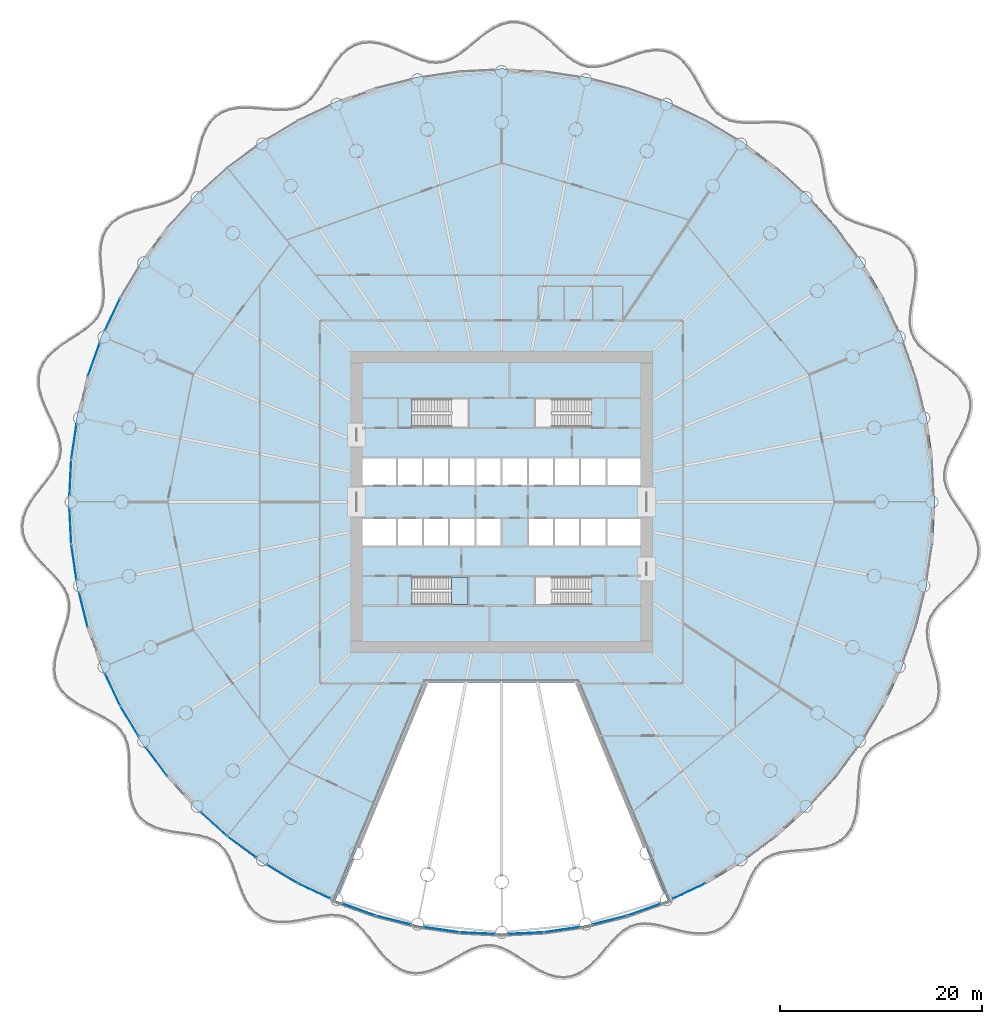
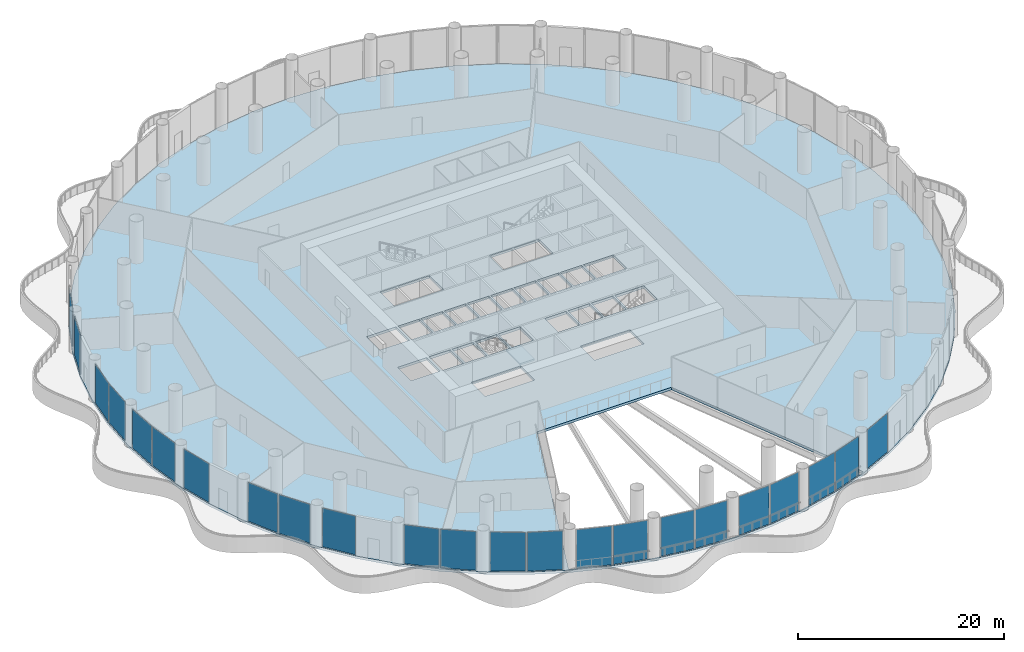
# One storey, part 20 of 36: 23 plates, 2 slabs, 24 elements without a shape of their own.
"""IFC4 building model written with IfcOpenShell, lengths in metres."""

from ifc_helpers import new_model, si_unit, direction, frame, origin, origin_2d, place, context, subcontext, project, spatial, polyline, rectangle, outline, extrude, material, layer, layer_set, type_object, element, aggregate, save


model = new_model("IFC4")

# Units and contexts
model_context = context("Model", 3, precision=1e-05, world=origin(), true_north=direction((0.0, 1.0)))
body_context = subcontext(model_context, "Body", "Model", "MODEL_VIEW")
ifc_project = project(units=[si_unit("LENGTHUNIT", "METRE"), si_unit("AREAUNIT", "SQUARE_METRE"), si_unit("VOLUMEUNIT", "CUBIC_METRE"), si_unit("PLANEANGLEUNIT", "RADIAN"), si_unit("MASSUNIT", "GRAM", prefix="KILO")], contexts=[model_context])

# Site, building, storey
site_placement = place(None, origin())
site = spatial("IfcSite", under=ifc_project, at=site_placement, CompositionType="ELEMENT")
building_placement = place(site_placement, origin())
building = spatial("IfcBuilding", under=site, at=building_placement, Name="Corvane Civic Tower", CompositionType="ELEMENT")
storey_placement = place(building_placement, frame((0.0, 0.0, 17.0)))
storey = spatial("IfcBuildingStorey", under=building, at=storey_placement, Name="L03", CompositionType="ELEMENT", Elevation=17.0)

# Slab
ifc_material_1 = material(Name="Concrete C40/50", Category="concrete")
ifc_layer_1 = layer(ifc_material_1, 0.300048828125)
ifc_layer_set_1 = layer_set([ifc_layer_1], Name="Concrete C40/50")
slab_type_1 = type_object("IfcSlabType", Name="FLOOR SLAB 300", PredefinedType="FLOOR", material=ifc_layer_set_1)
slab_1_placement = place(storey_placement, frame((0.0, 0.0, -0.300048828125)))
element("IfcSlab", 1, at=slab_1_placement, inside=storey, type_object=slab_type_1, Name="SLB-L03", PredefinedType="FLOOR", context=body_context, shape_type="SweptSolid", body=[
    extrude(outline(polyline([(0.0, 43.0), (-4.21484375, 42.79296875), (-8.388916015625, 42.173828125), (-12.482177734375, 41.1484375), (-16.455322265625, 39.726806640625), (-20.27001953125, 37.922607421875), (-23.889404296875, 35.753173828125), (-27.27880859375, 33.239501953125), (-30.405517578125, 30.405517578125), (-33.239501953125, 27.27880859375), (-35.753173828125, 23.889404296875), (-37.922607421875, 20.27001953125), (-39.726806640625, 16.455322265625), (-41.1484375, 12.482177734375), (-42.173828125, 8.388916015625), (-42.79296875, 4.21484375), (-43.0, 0.0), (-42.79296875, -4.21484375), (-42.173828125, -8.388916015625), (-41.1484375, -12.482177734375), (-39.726806640625, -16.455322265625), (-37.922607421875, -20.27001953125), (-35.753173828125, -23.889404296875), (-33.239501953125, -27.27880859375), (-30.405517578125, -30.405517578125), (-27.27880859375, -33.239501953125), (-23.889404296875, -35.753173828125), (-20.27001953125, -37.922607421875), (-16.455322265625, -39.726806640625), (-12.482177734375, -41.1484375), (-8.388916015625, -42.173828125), (-4.21484375, -42.79296875), (0.0, -43.0), (4.21484375, -42.79296875), (8.388916015625, -42.173828125), (12.482177734375, -41.1484375), (16.455322265625, -39.726806640625), (20.27001953125, -37.922607421875), (23.889404296875, -35.753173828125), (27.27880859375, -33.239501953125), (30.405517578125, -30.405517578125), (33.239501953125, -27.27880859375), (35.753173828125, -23.889404296875), (37.922607421875, -20.27001953125), (39.726806640625, -16.455322265625), (41.1484375, -12.482177734375), (42.173828125, -8.388916015625), (42.79296875, -4.21484375), (43.0, 0.0), (42.79296875, 4.21484375), (42.173828125, 8.388916015625), (41.1484375, 12.482177734375), (39.726806640625, 16.455322265625), (37.922607421875, 20.27001953125), (35.753173828125, 23.889404296875), (33.239501953125, 27.27880859375), (30.405517578125, 30.405517578125), (27.27880859375, 33.239501953125), (23.889404296875, 35.753173828125), (20.27001953125, 37.922607421875), (16.455322265625, 39.726806640625), (12.482177734375, 41.1484375), (8.388916015625, 42.173828125), (4.21484375, 42.79296875), (0.0, 43.0)]), holes=[polyline([(-13.800048828125, 4.300048828125), (-10.5, 4.300048828125), (-10.5, 1.699951171875), (-13.800048828125, 1.699951171875), (-13.800048828125, 4.300048828125)]), polyline([(-7.89990234375, 1.699951171875), (-10.300048828125, 1.699951171875), (-10.300048828125, 4.300048828125), (-7.89990234375, 4.300048828125), (-7.89990234375, 1.699951171875)]), polyline([(-7.699951171875, 4.300048828125), (-5.300048828125, 4.300048828125), (-5.300048828125, 1.699951171875), (-7.699951171875, 1.699951171875), (-7.699951171875, 4.300048828125)]), polyline([(-5.10009765625, 4.300048828125), (-2.699951171875, 4.300048828125), (-2.699951171875, 1.699951171875), (-5.10009765625, 1.699951171875), (-5.10009765625, 4.300048828125)]), polyline([(-2.5, 4.300048828125), (-0.10009765625, 4.300048828125), (-0.10009765625, 1.699951171875), (-2.5, 1.699951171875), (-2.5, 4.300048828125)]), polyline([(2.5, 1.699951171875), (0.10009765625, 1.699951171875), (0.10009765625, 4.300048828125), (2.5, 4.300048828125), (2.5, 1.699951171875)]), polyline([(5.10009765625, 1.699951171875), (2.699951171875, 1.699951171875), (2.699951171875, 4.300048828125), (5.10009765625, 4.300048828125), (5.10009765625, 1.699951171875)]), polyline([(5.300048828125, 4.300048828125), (7.699951171875, 4.300048828125), (7.699951171875, 1.699951171875), (5.300048828125, 1.699951171875), (5.300048828125, 4.300048828125)]), polyline([(7.89990234375, 4.300048828125), (10.300048828125, 4.300048828125), (10.300048828125, 1.699951171875), (7.89990234375, 1.699951171875), (7.89990234375, 4.300048828125)]), polyline([(13.800048828125, 1.699951171875), (10.5, 1.699951171875), (10.5, 4.300048828125), (13.800048828125, 4.300048828125), (13.800048828125, 1.699951171875)]), polyline([(-13.800048828125, -1.699951171875), (-10.5, -1.699951171875), (-10.5, -4.300048828125), (-13.800048828125, -4.300048828125), (-13.800048828125, -1.699951171875)]), polyline([(-10.300048828125, -1.699951171875), (-7.89990234375, -1.699951171875), (-7.89990234375, -4.300048828125), (-10.300048828125, -4.300048828125), (-10.300048828125, -1.699951171875)]), polyline([(-7.699951171875, -1.699951171875), (-5.300048828125, -1.699951171875), (-5.300048828125, -4.300048828125), (-7.699951171875, -4.300048828125), (-7.699951171875, -1.699951171875)]), polyline([(-5.10009765625, -1.699951171875), (-2.699951171875, -1.699951171875), (-2.699951171875, -4.300048828125), (-5.10009765625, -4.300048828125), (-5.10009765625, -1.699951171875)]), polyline([(-2.5, -1.699951171875), (-0.10009765625, -1.699951171875), (-0.10009765625, -4.300048828125), (-2.5, -4.300048828125), (-2.5, -1.699951171875)]), polyline([(2.699951171875, -1.699951171875), (5.10009765625, -1.699951171875), (5.10009765625, -4.300048828125), (2.699951171875, -4.300048828125), (2.699951171875, -1.699951171875)]), polyline([(5.300048828125, -4.300048828125), (5.300048828125, -1.699951171875), (7.699951171875, -1.699951171875), (7.699951171875, -4.300048828125), (5.300048828125, -4.300048828125)]), polyline([(7.89990234375, -4.300048828125), (7.89990234375, -1.699951171875), (10.300048828125, -1.699951171875), (10.300048828125, -4.300048828125), (7.89990234375, -4.300048828125)]), polyline([(13.800048828125, -4.300048828125), (10.5, -4.300048828125), (10.5, -1.699951171875), (13.800048828125, -1.699951171875), (13.800048828125, -4.300048828125)]), polyline([(8.889892578125, 10.199951171875), (8.889892578125, 7.449951171875), (3.35009765625, 7.449951171875), (3.35009765625, 10.199951171875), (8.889892578125, 10.199951171875)]), polyline([(-8.889892578125, 7.449951171875), (-8.889892578125, 10.199951171875), (-3.35009765625, 10.199951171875), (-3.35009765625, 7.449951171875), (-8.889892578125, 7.449951171875)]), polyline([(8.889892578125, -7.449951171875), (8.889892578125, -10.199951171875), (3.35009765625, -10.199951171875), (3.35009765625, -7.449951171875), (8.889892578125, -7.449951171875)]), polyline([(-8.889892578125, -10.199951171875), (-8.889892578125, -7.449951171875), (-3.35009765625, -7.449951171875), (-3.35009765625, -10.199951171875), (-8.889892578125, -10.199951171875)]), polyline([(16.488525390625, -39.54541015625), (16.39794921875, -39.58837890625), (12.438720703125, -41.0048828125), (8.359619140625, -42.026611328125), (4.199951171875, -42.643798828125), (0.0, -42.85009765625), (-4.199951171875, -42.643798828125), (-8.359619140625, -42.026611328125), (-12.438720703125, -41.0048828125), (-16.39794921875, -39.58837890625), (-16.488525390625, -39.54541015625), (-7.522705078125, -17.89990234375), (7.522705078125, -17.89990234375), (16.488525390625, -39.54541015625)])]), origin(), (0.0, 0.0, 1.0), 0.300048828125),
])

# Curtain wall, plate
ifc_material_2 = material(Name="Aluminium and glass", Category="aluminium")
curtain_wall_type = type_object("IfcCurtainWallType", Name="PODIUM-CW-P-RUN", PredefinedType="NOTDEFINED", material=ifc_material_2)
curtain_wall_1_placement = place(storey_placement, origin())
curtain_wall_1 = element("IfcCurtainWall", 2, at=curtain_wall_1_placement, inside=storey, type_object=curtain_wall_type, Name="PODI run L03-drum-14B", PredefinedType="NOTDEFINED")
ifc_material_3 = material(Name="Glass tinted low-e laminated", Category="glass")
ifc_layer_2 = layer(ifc_material_3, 0.031982421875)
ifc_layer_set_2 = layer_set([ifc_layer_2], Name="Glass tinted low-e laminated")
plate_type = type_object("IfcPlateType", Name="PODIUM-CWP-PANEL-IGU32", PredefinedType="CURTAIN_PANEL", material=ifc_layer_set_2)
plate_1_placement = place(storey_placement, frame((18.595458984375, -38.614990234375, 0.06005859375), z_axis=(0.0, 0.0, 1.0), x_axis=(-0.903990222454, -0.42755312852, 0.0)))
plate_1 = element("IfcPlate", 3, at=plate_1_placement, type_object=plate_type, Name="CW-P panel 1.1", PredefinedType="CURTAIN_PANEL", context=body_context, shape_type="SweptSolid", body=[
    extrude(rectangle(XDim=3.4599609375, YDim=0.031982421875, at=origin_2d()), origin(), (0.0, 0.0, 1.0), 4.580078125),
])
aggregate(curtain_wall_1, [plate_1])

curtain_wall_2_placement = place(storey_placement, origin())
curtain_wall_2 = element("IfcCurtainWall", 4, at=curtain_wall_2_placement, inside=storey, type_object=curtain_wall_type, Name="PODI run L03-drum-15A", PredefinedType="NOTDEFINED")
plate_2_placement = place(storey_placement, frame((14.156005859375, -40.453857421875, 0.06005859375), z_axis=(0.0, 0.0, 1.0), x_axis=(-0.941533802561, -0.336918534123, 0.0)))
plate_2 = element("IfcPlate", 5, at=plate_2_placement, type_object=plate_type, Name="CW-P panel 1.1", PredefinedType="CURTAIN_PANEL", context=body_context, shape_type="SweptSolid", body=[
    extrude(rectangle(XDim=3.459716796875, YDim=0.031982421875, at=origin_2d()), origin(), (0.0, 0.0, 1.0), 4.580078125),
])
aggregate(curtain_wall_2, [plate_2])

curtain_wall_3_placement = place(storey_placement, origin())
curtain_wall_3 = element("IfcCurtainWall", 6, at=curtain_wall_3_placement, inside=storey, type_object=curtain_wall_type, Name="PODI run L03-drum-15B", PredefinedType="NOTDEFINED")
plate_3_placement = place(storey_placement, frame((10.70458984375, -41.5009765625, 0.06005859375), z_axis=(0.0, 0.0, 1.0), x_axis=(-0.970024070659, -0.243008852393, 0.0)))
plate_3 = element("IfcPlate", 7, at=plate_3_placement, type_object=plate_type, Name="CW-P panel 1.1", PredefinedType="CURTAIN_PANEL", context=body_context, shape_type="SweptSolid", body=[
    extrude(rectangle(XDim=3.459716796875, YDim=0.031982421875, at=origin_2d()), origin(), (0.0, 0.0, 1.0), 4.580078125),
])
aggregate(curtain_wall_3, [plate_3])

curtain_wall_4_placement = place(storey_placement, origin())
curtain_wall_4 = element("IfcCurtainWall", 8, at=curtain_wall_4_placement, inside=storey, type_object=curtain_wall_type, Name="PODI run L03-drum-16A", PredefinedType="NOTDEFINED")
plate_4_placement = place(storey_placement, frame((5.991943359375, -42.4384765625, 0.06005859375), z_axis=(0.0, 0.0, 1.0), x_axis=(-0.989178850608, -0.146714694252, 0.0)))
plate_4 = element("IfcPlate", 9, at=plate_4_placement, type_object=plate_type, Name="CW-P panel 1.1", PredefinedType="CURTAIN_PANEL", context=body_context, shape_type="SweptSolid", body=[
    extrude(rectangle(XDim=3.459716796875, YDim=0.031982421875, at=origin_2d()), origin(), (0.0, 0.0, 1.0), 4.580078125),
])
aggregate(curtain_wall_4, [plate_4])

curtain_wall_5_placement = place(storey_placement, origin())
curtain_wall_5 = element("IfcCurtainWall", 10, at=curtain_wall_5_placement, inside=storey, type_object=curtain_wall_type, Name="PODI run L03-drum-16B", PredefinedType="NOTDEFINED")
plate_5_placement = place(storey_placement, frame((2.402587890625, -42.7919921875, 0.06005859375), z_axis=(0.0, 0.0, 1.0), x_axis=(-0.998796316803, -0.04905015332, 0.0)))
plate_5 = element("IfcPlate", 11, at=plate_5_placement, type_object=plate_type, Name="CW-P panel 1.1", PredefinedType="CURTAIN_PANEL", context=body_context, shape_type="SweptSolid", body=[
    extrude(rectangle(XDim=3.4599609375, YDim=0.031982421875, at=origin_2d()), origin(), (0.0, 0.0, 1.0), 4.580078125),
])
aggregate(curtain_wall_5, [plate_5])

curtain_wall_6_placement = place(storey_placement, origin())
curtain_wall_6 = element("IfcCurtainWall", 12, at=curtain_wall_6_placement, inside=storey, type_object=curtain_wall_type, Name="PODI run L03-drum-17A", PredefinedType="NOTDEFINED")
plate_6_placement = place(storey_placement, frame((-2.402587890625, -42.7919921875, 0.06005859375), z_axis=(0.0, 0.0, 1.0), x_axis=(-0.998796316803, 0.04905015332, 0.0)))
plate_6 = element("IfcPlate", 13, at=plate_6_placement, type_object=plate_type, Name="CW-P panel 1.1", PredefinedType="CURTAIN_PANEL", context=body_context, shape_type="SweptSolid", body=[
    extrude(rectangle(XDim=3.4599609375, YDim=0.031982421875, at=origin_2d()), origin(), (0.0, 0.0, 1.0), 4.580078125),
])
aggregate(curtain_wall_6, [plate_6])

curtain_wall_7_placement = place(storey_placement, origin())
curtain_wall_7 = element("IfcCurtainWall", 14, at=curtain_wall_7_placement, inside=storey, type_object=curtain_wall_type, Name="PODI run L03-drum-17B", PredefinedType="NOTDEFINED")
plate_7_placement = place(storey_placement, frame((-5.991943359375, -42.4384765625, 0.06005859375), z_axis=(0.0, 0.0, 1.0), x_axis=(-0.989178850608, 0.146714694252, 0.0)))
plate_7 = element("IfcPlate", 15, at=plate_7_placement, type_object=plate_type, Name="CW-P panel 1.1", PredefinedType="CURTAIN_PANEL", context=body_context, shape_type="SweptSolid", body=[
    extrude(rectangle(XDim=3.459716796875, YDim=0.031982421875, at=origin_2d()), origin(), (0.0, 0.0, 1.0), 4.580078125),
])
aggregate(curtain_wall_7, [plate_7])

curtain_wall_8_placement = place(storey_placement, origin())
curtain_wall_8 = element("IfcCurtainWall", 16, at=curtain_wall_8_placement, inside=storey, type_object=curtain_wall_type, Name="PODI run L03-drum-18A", PredefinedType="NOTDEFINED")
plate_8_placement = place(storey_placement, frame((-10.70458984375, -41.5009765625, 0.06005859375), z_axis=(0.0, 0.0, 1.0), x_axis=(-0.970024070659, 0.243008852393, 0.0)))
plate_8 = element("IfcPlate", 17, at=plate_8_placement, type_object=plate_type, Name="CW-P panel 1.1", PredefinedType="CURTAIN_PANEL", context=body_context, shape_type="SweptSolid", body=[
    extrude(rectangle(XDim=3.459716796875, YDim=0.031982421875, at=origin_2d()), origin(), (0.0, 0.0, 1.0), 4.580078125),
])
aggregate(curtain_wall_8, [plate_8])

curtain_wall_9_placement = place(storey_placement, origin())
curtain_wall_9 = element("IfcCurtainWall", 18, at=curtain_wall_9_placement, inside=storey, type_object=curtain_wall_type, Name="PODI run L03-drum-18B", PredefinedType="NOTDEFINED")
plate_9_placement = place(storey_placement, frame((-14.156005859375, -40.453857421875, 0.06005859375), z_axis=(0.0, 0.0, 1.0), x_axis=(-0.941533802561, 0.336918534123, 0.0)))
plate_9 = element("IfcPlate", 19, at=plate_9_placement, type_object=plate_type, Name="CW-P panel 1.1", PredefinedType="CURTAIN_PANEL", context=body_context, shape_type="SweptSolid", body=[
    extrude(rectangle(XDim=3.459716796875, YDim=0.031982421875, at=origin_2d()), origin(), (0.0, 0.0, 1.0), 4.580078125),
])
aggregate(curtain_wall_9, [plate_9])

curtain_wall_10_placement = place(storey_placement, origin())
curtain_wall_10 = element("IfcCurtainWall", 20, at=curtain_wall_10_placement, inside=storey, type_object=curtain_wall_type, Name="PODI run L03-drum-19A", PredefinedType="NOTDEFINED")
plate_10_placement = place(storey_placement, frame((-18.595458984375, -38.614990234375, 0.06005859375), z_axis=(0.0, 0.0, 1.0), x_axis=(-0.903990222454, 0.42755312852, 0.0)))
plate_10 = element("IfcPlate", 21, at=plate_10_placement, type_object=plate_type, Name="CW-P panel 1.1", PredefinedType="CURTAIN_PANEL", context=body_context, shape_type="SweptSolid", body=[
    extrude(rectangle(XDim=3.4599609375, YDim=0.031982421875, at=origin_2d()), origin(), (0.0, 0.0, 1.0), 4.580078125),
])
aggregate(curtain_wall_10, [plate_10])

curtain_wall_11_placement = place(storey_placement, origin())
curtain_wall_11 = element("IfcCurtainWall", 22, at=curtain_wall_11_placement, inside=storey, type_object=curtain_wall_type, Name="PODI run L03-drum-19B", PredefinedType="NOTDEFINED")
plate_11_placement = place(storey_placement, frame((-21.776123046875, -36.914794921875, 0.06005859375), z_axis=(0.0, 0.0, 1.0), x_axis=(-0.857719609779, 0.514117759857, 0.0)))
plate_11 = element("IfcPlate", 23, at=plate_11_placement, type_object=plate_type, Name="CW-P panel 1.1", PredefinedType="CURTAIN_PANEL", context=body_context, shape_type="SweptSolid", body=[
    extrude(rectangle(XDim=3.459716796875, YDim=0.031982421875, at=origin_2d()), origin(), (0.0, 0.0, 1.0), 4.580078125),
])
aggregate(curtain_wall_11, [plate_11])

curtain_wall_12_placement = place(storey_placement, origin())
curtain_wall_12 = element("IfcCurtainWall", 24, at=curtain_wall_12_placement, inside=storey, type_object=curtain_wall_type, Name="PODI run L03-drum-20A", PredefinedType="NOTDEFINED")
plate_12_placement = place(storey_placement, frame((-25.771484375, -34.245361328125, 0.06005859375), z_axis=(0.0, 0.0, 1.0), x_axis=(-0.803203229747, 0.595705104665, 0.0)))
plate_12 = element("IfcPlate", 25, at=plate_12_placement, type_object=plate_type, Name="CW-P panel 1.1", PredefinedType="CURTAIN_PANEL", context=body_context, shape_type="SweptSolid", body=[
    extrude(rectangle(XDim=3.459716796875, YDim=0.031982421875, at=origin_2d()), origin(), (0.0, 0.0, 1.0), 4.580078125),
])
aggregate(curtain_wall_12, [plate_12])

curtain_wall_13_placement = place(storey_placement, origin())
curtain_wall_13 = element("IfcCurtainWall", 26, at=curtain_wall_13_placement, inside=storey, type_object=curtain_wall_type, Name="PODI run L03-drum-20B", PredefinedType="NOTDEFINED")
plate_13_placement = place(storey_placement, frame((-28.5595703125, -31.957275390625, 0.06005859375), z_axis=(0.0, 0.0, 1.0), x_axis=(-0.740935261089, 0.671576457952, 0.0)))
plate_13 = element("IfcPlate", 27, at=plate_13_placement, type_object=plate_type, Name="CW-P panel 1.1", PredefinedType="CURTAIN_PANEL", context=body_context, shape_type="SweptSolid", body=[
    extrude(rectangle(XDim=3.4599609375, YDim=0.031982421875, at=origin_2d()), origin(), (0.0, 0.0, 1.0), 4.580078125),
])
aggregate(curtain_wall_13, [plate_13])

curtain_wall_14_placement = place(storey_placement, origin())
curtain_wall_14 = element("IfcCurtainWall", 28, at=curtain_wall_14_placement, inside=storey, type_object=curtain_wall_type, Name="PODI run L03-drum-21B", PredefinedType="NOTDEFINED")
plate_14_placement = place(storey_placement, frame((-34.245361328125, -25.771484375, 0.06005859375), z_axis=(0.0, 0.0, 1.0), x_axis=(-0.595705104665, 0.803203229747, 0.0)))
plate_14 = element("IfcPlate", 29, at=plate_14_placement, type_object=plate_type, Name="CW-P panel 1.1", PredefinedType="CURTAIN_PANEL", context=body_context, shape_type="SweptSolid", body=[
    extrude(rectangle(XDim=3.459716796875, YDim=0.031982421875, at=origin_2d()), origin(), (0.0, 0.0, 1.0), 4.580078125),
])
aggregate(curtain_wall_14, [plate_14])

curtain_wall_15_placement = place(storey_placement, origin())
curtain_wall_15 = element("IfcCurtainWall", 30, at=curtain_wall_15_placement, inside=storey, type_object=curtain_wall_type, Name="PODI run L03-drum-22A", PredefinedType="NOTDEFINED")
plate_15_placement = place(storey_placement, frame((-36.914794921875, -21.776123046875, 0.06005859375), z_axis=(0.0, 0.0, 1.0), x_axis=(-0.514117759857, 0.857719609779, 0.0)))
plate_15 = element("IfcPlate", 31, at=plate_15_placement, type_object=plate_type, Name="CW-P panel 1.1", PredefinedType="CURTAIN_PANEL", context=body_context, shape_type="SweptSolid", body=[
    extrude(rectangle(XDim=3.459716796875, YDim=0.031982421875, at=origin_2d()), origin(), (0.0, 0.0, 1.0), 4.580078125),
])
aggregate(curtain_wall_15, [plate_15])

curtain_wall_16_placement = place(storey_placement, origin())
curtain_wall_16 = element("IfcCurtainWall", 32, at=curtain_wall_16_placement, inside=storey, type_object=curtain_wall_type, Name="PODI run L03-drum-22B", PredefinedType="NOTDEFINED")
plate_16_placement = place(storey_placement, frame((-38.614990234375, -18.595458984375, 0.06005859375), z_axis=(0.0, 0.0, 1.0), x_axis=(-0.42755312852, 0.903990222454, 0.0)))
plate_16 = element("IfcPlate", 33, at=plate_16_placement, type_object=plate_type, Name="CW-P panel 1.1", PredefinedType="CURTAIN_PANEL", context=body_context, shape_type="SweptSolid", body=[
    extrude(rectangle(XDim=3.4599609375, YDim=0.031982421875, at=origin_2d()), origin(), (0.0, 0.0, 1.0), 4.580078125),
])
aggregate(curtain_wall_16, [plate_16])

curtain_wall_17_placement = place(storey_placement, origin())
curtain_wall_17 = element("IfcCurtainWall", 34, at=curtain_wall_17_placement, inside=storey, type_object=curtain_wall_type, Name="PODI run L03-drum-23B", PredefinedType="NOTDEFINED")
plate_17_placement = place(storey_placement, frame((-41.5009765625, -10.70458984375, 0.06005859375), z_axis=(0.0, 0.0, 1.0), x_axis=(-0.243008852393, 0.970024070659, 0.0)))
plate_17 = element("IfcPlate", 35, at=plate_17_placement, type_object=plate_type, Name="CW-P panel 1.1", PredefinedType="CURTAIN_PANEL", context=body_context, shape_type="SweptSolid", body=[
    extrude(rectangle(XDim=3.459716796875, YDim=0.031982421875, at=origin_2d()), origin(), (0.0, 0.0, 1.0), 4.580078125),
])
aggregate(curtain_wall_17, [plate_17])

curtain_wall_18_placement = place(storey_placement, origin())
curtain_wall_18 = element("IfcCurtainWall", 36, at=curtain_wall_18_placement, inside=storey, type_object=curtain_wall_type, Name="PODI run L03-drum-24A", PredefinedType="NOTDEFINED")
plate_18_placement = place(storey_placement, frame((-42.4384765625, -5.991943359375, 0.06005859375), z_axis=(0.0, 0.0, 1.0), x_axis=(-0.146714694252, 0.989178850608, 0.0)))
plate_18 = element("IfcPlate", 37, at=plate_18_placement, type_object=plate_type, Name="CW-P panel 1.1", PredefinedType="CURTAIN_PANEL", context=body_context, shape_type="SweptSolid", body=[
    extrude(rectangle(XDim=3.459716796875, YDim=0.031982421875, at=origin_2d()), origin(), (0.0, 0.0, 1.0), 4.580078125),
])
aggregate(curtain_wall_18, [plate_18])

curtain_wall_19_placement = place(storey_placement, origin())
curtain_wall_19 = element("IfcCurtainWall", 38, at=curtain_wall_19_placement, inside=storey, type_object=curtain_wall_type, Name="PODI run L03-drum-24B", PredefinedType="NOTDEFINED")
plate_19_placement = place(storey_placement, frame((-42.7919921875, -2.402587890625, 0.06005859375), z_axis=(0.0, 0.0, 1.0), x_axis=(-0.04905015332, 0.998796316803, 0.0)))
plate_19 = element("IfcPlate", 39, at=plate_19_placement, type_object=plate_type, Name="CW-P panel 1.1", PredefinedType="CURTAIN_PANEL", context=body_context, shape_type="SweptSolid", body=[
    extrude(rectangle(XDim=3.4599609375, YDim=0.031982421875, at=origin_2d()), origin(), (0.0, 0.0, 1.0), 4.580078125),
])
aggregate(curtain_wall_19, [plate_19])

curtain_wall_20_placement = place(storey_placement, origin())
curtain_wall_20 = element("IfcCurtainWall", 40, at=curtain_wall_20_placement, inside=storey, type_object=curtain_wall_type, Name="PODI run L03-drum-25A", PredefinedType="NOTDEFINED")
plate_20_placement = place(storey_placement, frame((-42.7919921875, 2.402587890625, 0.06005859375), z_axis=(0.0, 0.0, 1.0), x_axis=(0.04905015332, 0.998796316803, 0.0)))
plate_20 = element("IfcPlate", 41, at=plate_20_placement, type_object=plate_type, Name="CW-P panel 1.1", PredefinedType="CURTAIN_PANEL", context=body_context, shape_type="SweptSolid", body=[
    extrude(rectangle(XDim=3.4599609375, YDim=0.031982421875, at=origin_2d()), origin(), (0.0, 0.0, 1.0), 4.580078125),
])
aggregate(curtain_wall_20, [plate_20])

curtain_wall_21_placement = place(storey_placement, origin())
curtain_wall_21 = element("IfcCurtainWall", 42, at=curtain_wall_21_placement, inside=storey, type_object=curtain_wall_type, Name="PODI run L03-drum-25B", PredefinedType="NOTDEFINED")
plate_21_placement = place(storey_placement, frame((-42.4384765625, 5.991943359375, 0.06005859375), z_axis=(0.0, 0.0, 1.0), x_axis=(0.146714694252, 0.989178850608, 0.0)))
plate_21 = element("IfcPlate", 43, at=plate_21_placement, type_object=plate_type, Name="CW-P panel 1.1", PredefinedType="CURTAIN_PANEL", context=body_context, shape_type="SweptSolid", body=[
    extrude(rectangle(XDim=3.459716796875, YDim=0.031982421875, at=origin_2d()), origin(), (0.0, 0.0, 1.0), 4.580078125),
])
aggregate(curtain_wall_21, [plate_21])

curtain_wall_22_placement = place(storey_placement, origin())
curtain_wall_22 = element("IfcCurtainWall", 44, at=curtain_wall_22_placement, inside=storey, type_object=curtain_wall_type, Name="PODI run L03-drum-26B", PredefinedType="NOTDEFINED")
plate_22_placement = place(storey_placement, frame((-40.453857421875, 14.156005859375, 0.06005859375), z_axis=(0.0, 0.0, 1.0), x_axis=(0.336918534123, 0.941533802561, 0.0)))
plate_22 = element("IfcPlate", 45, at=plate_22_placement, type_object=plate_type, Name="CW-P panel 1.1", PredefinedType="CURTAIN_PANEL", context=body_context, shape_type="SweptSolid", body=[
    extrude(rectangle(XDim=3.459716796875, YDim=0.031982421875, at=origin_2d()), origin(), (0.0, 0.0, 1.0), 4.580078125),
])
aggregate(curtain_wall_22, [plate_22])

curtain_wall_23_placement = place(storey_placement, origin())
curtain_wall_23 = element("IfcCurtainWall", 46, at=curtain_wall_23_placement, inside=storey, type_object=curtain_wall_type, Name="PODI run L03-drum-27A", PredefinedType="NOTDEFINED")
plate_23_placement = place(storey_placement, frame((-38.614990234375, 18.595458984375, 0.06005859375), z_axis=(0.0, 0.0, 1.0), x_axis=(0.42755312852, 0.903990222454, 0.0)))
plate_23 = element("IfcPlate", 47, at=plate_23_placement, type_object=plate_type, Name="CW-P panel 1.1", PredefinedType="CURTAIN_PANEL", context=body_context, shape_type="SweptSolid", body=[
    extrude(rectangle(XDim=3.4599609375, YDim=0.031982421875, at=origin_2d()), origin(), (0.0, 0.0, 1.0), 4.580078125),
])
aggregate(curtain_wall_23, [plate_23])

# Stair, slab
ifc_material_4 = material(Name="Concrete C40/50", Category="concrete")
stair_type = type_object("IfcStairType", Name="ST-STAIR-HALFTURN", PredefinedType="HALF_TURN_STAIR", material=ifc_material_4)
stair_placement = place(storey_placement, origin())
stair = element("IfcStair", 48, at=stair_placement, inside=storey, type_object=stair_type, Name="L03 Exit stair ST3", PredefinedType="HALF_TURN_STAIR")
ifc_material_5 = material(Name="Concrete C40/50", Category="concrete")
ifc_layer_3 = layer(ifc_material_5, 0.199951171875)
ifc_layer_set_3 = layer_set([ifc_layer_3], Name="Concrete C40/50")
slab_type_2 = type_object("IfcSlabType", Name="ST-LANDING-RC", PredefinedType="LANDING", material=ifc_layer_set_3)
slab_2_placement = place(storey_placement, frame((0.0, 0.0, 2.300048828125)))
slab_2 = element("IfcSlab", 49, at=slab_2_placement, type_object=slab_type_2, Name="ST3 landing 1", PredefinedType="LANDING", context=body_context, shape_type="SweptSolid", body=[
    extrude(outline(polyline([(-4.97998046875, -10.199951171875), (-3.35009765625, -10.199951171875), (-3.35009765625, -7.449951171875), (-4.97998046875, -7.449951171875), (-4.97998046875, -10.199951171875)])), origin(), (0.0, 0.0, 1.0), 0.199951171875),
])
aggregate(stair, [slab_2])

save(model, "model.ifc")
